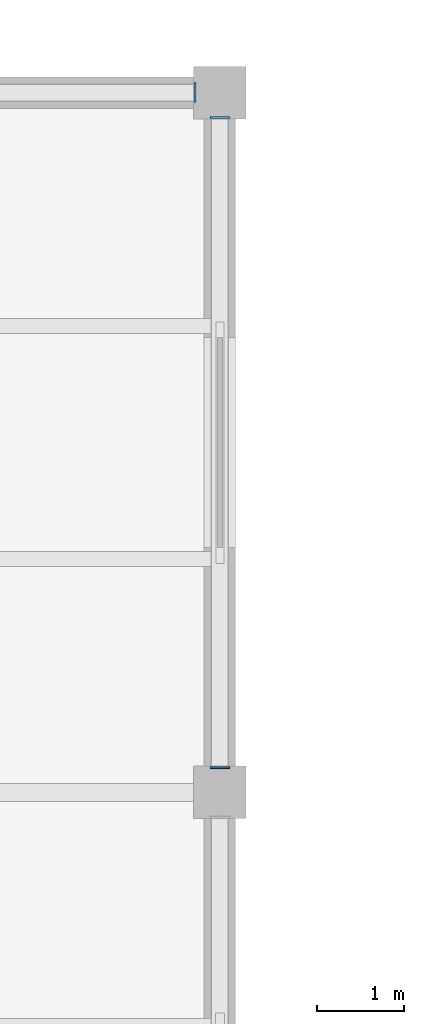
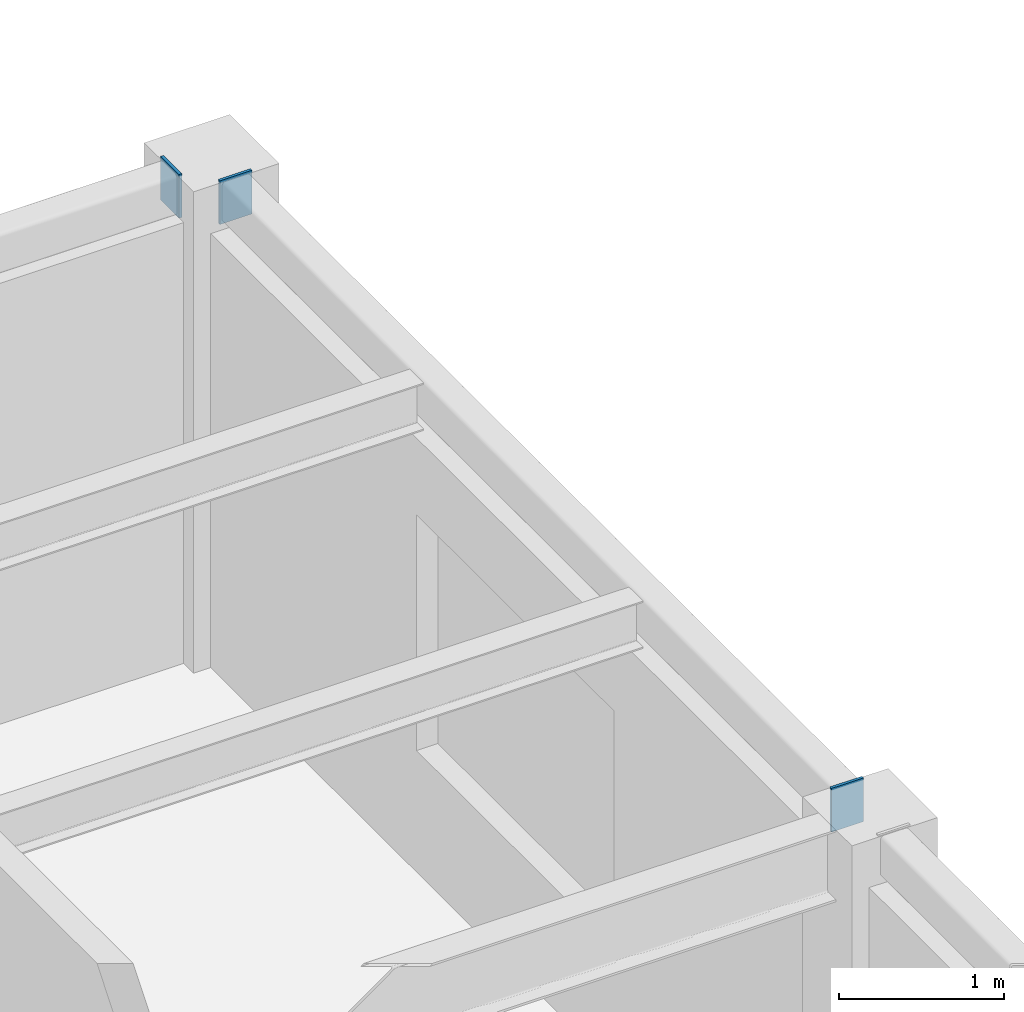
# One storey, part 77 of 96: 3 discrete accessories.
"""IFC4 building model written with IfcOpenShell, lengths in metres."""

from ifc_helpers import new_model, si_unit, direction, frame, origin, origin_2d, place, context, subcontext, project, spatial, rectangle, extrude, material, layer, layer_set, type_object, element, save


model = new_model("IFC4")

# Units and contexts
model_context = context("Model", 3, precision=1e-05, world=origin(), true_north=direction((0.0, 1.0)))
body_context = subcontext(model_context, "Body", "Model", "MODEL_VIEW")
ifc_project = project(units=[si_unit("LENGTHUNIT", "METRE"), si_unit("AREAUNIT", "SQUARE_METRE"), si_unit("VOLUMEUNIT", "CUBIC_METRE"), si_unit("PLANEANGLEUNIT", "RADIAN"), si_unit("MASSUNIT", "GRAM", prefix="KILO")], contexts=[model_context])

# Site, building, storey
site_placement = place(None, origin())
site = spatial("IfcSite", under=ifc_project, at=site_placement, CompositionType="ELEMENT")
building_placement = place(site_placement, origin())
building = spatial("IfcBuilding", under=site, at=building_placement, Name="Kranzveld Transit Interchange", CompositionType="ELEMENT")
storey_placement = place(building_placement, frame((0.0, 0.0, 9.52001953125)))
storey = spatial("IfcBuildingStorey", under=building, at=storey_placement, Name="L02", CompositionType="ELEMENT", Elevation=9.52001953125)

# Discrete accessories
ifc_material = material(Name="Steel S355JR", Category="steel")
ifc_layer = layer(ifc_material, 0.02001953125)
ifc_layer_set = layer_set([ifc_layer], Name="Steel S355JR")
discrete_accessory_type = type_object("IfcDiscreteAccessoryType", Name="Hollow Section End Cap Bracket 20 S355JR", PredefinedType="BRACKET", material=ifc_layer_set)
for number, where, z_axis, x_axis, name in (
    (1, (50.10595703125, 112.0, 3.419921875), (1.0, 0.0, 0.0), (0.0, 1.0, 0.0), "Hollow Section End Cap SP-RHS300-2"),
    (2, (50.39990234375, 104.2939453125, 3.419921875), (0.0, -1.0, 0.0), (1.0, 0.0, 0.0), "Hollow Section End Cap SP-RHS300-1"),
    (3, (50.39990234375, 111.7060546875, 3.419921875), (0.0, 1.0, 0.0), (-1.0, 0.0, 0.0), "Hollow Section End Cap SP-RHS300-2"),
):
    element("IfcDiscreteAccessory", number, at=place(storey_placement, frame(where, z_axis=z_axis, x_axis=x_axis)), inside=storey, type_object=discrete_accessory_type, Name=name, PredefinedType="BRACKET", context=body_context, shape_type="SweptSolid", body=[
        extrude(rectangle(XDim=0.22412109375, YDim=0.323974609375, at=origin_2d()), origin(), (0.0, 0.0, 1.0), 0.02001953125),
    ])

save(model, "model.ifc")
